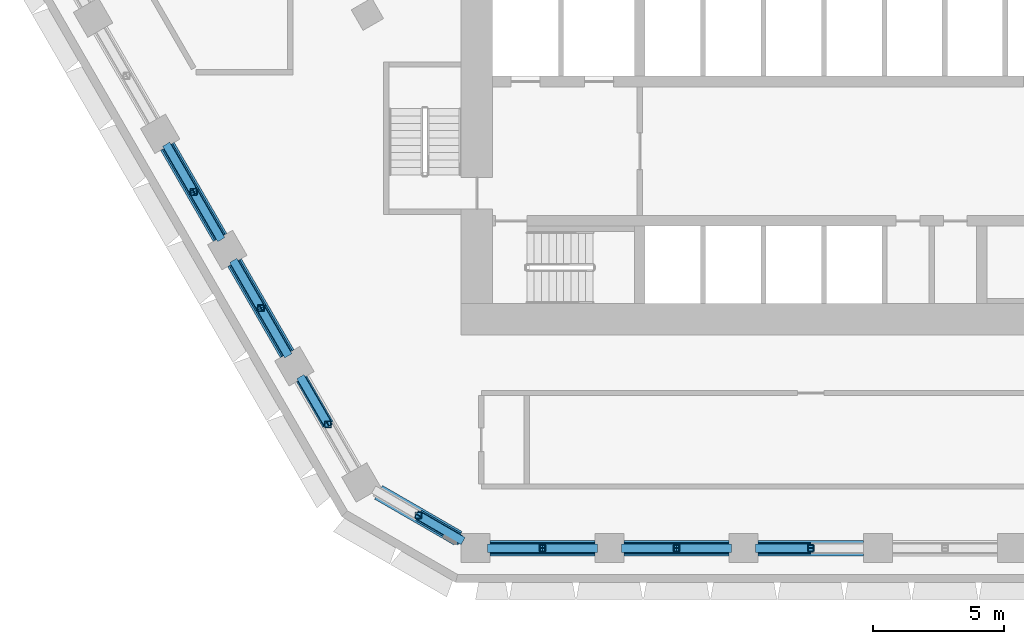
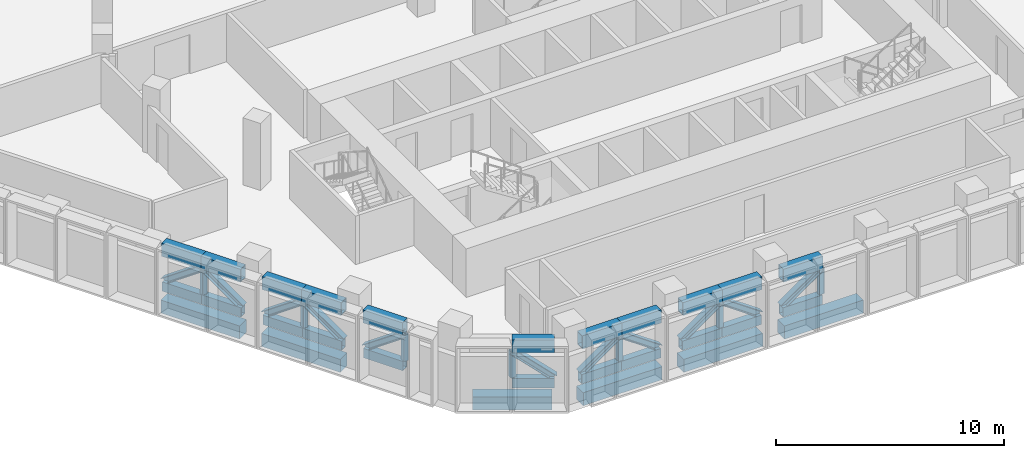
# One storey, part 2 of 22: 40 members, 6 beams.
"""IFC4 building model written with IfcOpenShell, lengths in metres."""

from ifc_helpers import new_model, si_unit, direction, frame, origin, origin_2d, place, context, subcontext, project, spatial, rectangle, hollow_rectangle, i_section, extrude, material, material_profile, profile_set, type_object, element, save


model = new_model("IFC4")

# Units and contexts
model_context = context("Model", 3, precision=1e-05, world=origin(), true_north=direction((0.0, 1.0)))
body_context = subcontext(model_context, "Body", "Model", "MODEL_VIEW")
ifc_project = project(units=[si_unit("LENGTHUNIT", "METRE"), si_unit("AREAUNIT", "SQUARE_METRE"), si_unit("VOLUMEUNIT", "CUBIC_METRE"), si_unit("PLANEANGLEUNIT", "RADIAN"), si_unit("MASSUNIT", "GRAM", prefix="KILO")], contexts=[model_context])

# Site, building, storey
site_placement = place(None, origin())
site = spatial("IfcSite", under=ifc_project, at=site_placement, CompositionType="ELEMENT")
building_placement = place(site_placement, origin())
building = spatial("IfcBuilding", under=site, at=building_placement, Name="Beryl Residences", CompositionType="ELEMENT")
storey_placement = place(building_placement, frame((0.0, 0.0, 62.39990234375)))
storey = spatial("IfcBuildingStorey", under=building, at=storey_placement, Name="L19", CompositionType="ELEMENT", Elevation=62.39990234375)

# Members
ifc_material_1 = material(Name="Steel S355", Category="steel")
ifc_material_profile_1 = material_profile(ifc_material_1, hollow_rectangle(XDim=0.35009765625, YDim=0.5, WallThickness=0.02490234375, at=origin_2d()))
ifc_profile_set_1 = profile_set([ifc_material_profile_1], Name="Steel S355")
member_type_1 = type_object("IfcMemberType", Name="BB1 belt truss bottom chord WB 500x350x25", PredefinedType="CHORD", material=ifc_profile_set_1)
for number, where, z_axis, x_axis, name in (
    (1, (-24.469970703125, -11.81689453125, 0.25), (0.499915960366, -0.866073918653, 0.0), (0.866073918653, 0.499915960366, 0.0), "Belt truss BB1-SW-2a L19"),
    (2, (-23.468994140625, -13.551025390625, 0.25), (0.499968756647, -0.866043441391, 0.0), (0.866043441391, 0.499968756647, 0.0), "Belt truss BB1-SW-2b L19"),
    (3, (-21.91796875, -16.237060546875, 0.25), (0.499968756647, -0.866043441391, 0.0), (0.866043441391, 0.499968756647, 0.0), "Belt truss BB1-SW-3a L19"),
    (4, (-20.9169921875, -17.970947265625, 0.25), (0.499915960366, -0.866073918653, 0.0), (0.866073918653, 0.499915960366, 0.0), "Belt truss BB1-SW-3b L19"),
    (5, (-19.365966796875, -20.656982421875, 0.25), (0.499915960366, -0.866073918653, 0.0), (0.866073918653, 0.499915960366, 0.0), "Belt truss BB1-SW-4a L19"),
):
    element("IfcMember", number, at=place(storey_placement, frame(where, z_axis=z_axis, x_axis=x_axis)), inside=storey, type_object=member_type_1, Name=name, PredefinedType="CHORD", context=body_context, shape_type="SweptSolid", body=[
        extrude(hollow_rectangle(XDim=0.35009765625, YDim=0.5, WallThickness=0.02490234375, at=origin_2d()), origin(), (0.0, 0.0, 1.0), 2.002197265625),
    ])
member_1_placement = place(storey_placement, frame((-14.924072265625, -25.85107421875, 0.25), z_axis=(0.866148526014, -0.499786685381, 0.0), x_axis=(0.499786685381, 0.866148526014, 0.0)))
element("IfcMember", 6, at=member_1_placement, inside=storey, type_object=member_type_1, Name="Belt truss BB1-SW-5b L19", PredefinedType="CHORD", context=body_context, shape_type="SweptSolid", body=[
    extrude(hollow_rectangle(XDim=0.35009765625, YDim=0.5, WallThickness=0.02490234375, at=origin_2d()), origin(), (0.0, 0.0, 1.0), 1.864501953125),
])
for number, where, z_axis, x_axis, name in (
    (7, (-12.208984375, -27.10009765625, 0.25), (1.0, 0.0, 0.0), (0.0, 1.0, 0.0), "Belt truss BB1-S-0a L19"),
    (8, (-10.20703125, -27.10009765625, 0.25), (1.0, 0.0, 0.0), (0.0, 1.0, 0.0), "Belt truss BB1-S-0b L19"),
    (9, (-7.10498046875, -27.10009765625, 0.25), (1.0, 0.0, 0.0), (0.0, 1.0, 0.0), "Belt truss BB1-S-1a L19"),
    (10, (-5.10302734375, -27.10009765625, 0.25), (1.0, 0.0, 0.0), (0.0, 1.0, 0.0), "Belt truss BB1-S-1b L19"),
    (11, (-2.0009765625, -27.10009765625, 0.25), (1.0, 0.0, 0.0), (0.0, 1.0, 0.0), "Belt truss BB1-S-2a L19"),
):
    element("IfcMember", number, at=place(storey_placement, frame(where, z_axis=z_axis, x_axis=x_axis)), inside=storey, type_object=member_type_1, Name=name, PredefinedType="CHORD", context=body_context, shape_type="SweptSolid", body=[
        extrude(hollow_rectangle(XDim=0.35009765625, YDim=0.5, WallThickness=0.02490234375, at=origin_2d()), origin(), (0.0, 0.0, 1.0), 2.001953125),
    ])
ifc_material_2 = material(Name="Steel S355", Category="steel")
ifc_material_profile_2 = material_profile(ifc_material_2, i_section(OverallWidth=0.31103515625, OverallDepth=0.326904296875, WebThickness=0.015625, FlangeThickness=0.02490234375, FilletRadius=0.0166015625, at=origin_2d()))
ifc_profile_set_2 = profile_set([ifc_material_profile_2], Name="Steel S355")
member_type_2 = type_object("IfcMemberType", Name="BD1 belt truss diagonal 310UC158", PredefinedType="BRACE", material=ifc_profile_set_2)
member_2_placement = place(storey_placement, frame((-24.469970703125, -11.81689453125, 0.5), z_axis=(0.409687048976, -0.709757831433, 0.573062250214), x_axis=(0.866073918653, 0.499915960366, 0.0)))
element("IfcMember", 12, at=member_2_placement, inside=storey, type_object=member_type_2, Name="Belt truss BD1-SW-2a L19", PredefinedType="BRACE", context=body_context, shape_type="SweptSolid", body=[
    extrude(i_section(OverallWidth=0.31103515625, OverallDepth=0.326904296875, WebThickness=0.015625, FlangeThickness=0.02490234375, FilletRadius=0.0166015625, at=origin_2d()), origin(), (0.0, 0.0, 1.0), 2.443359375),
])
for number, where, z_axis, x_axis, name in (
    (13, (-22.468017578125, -15.284912109375, 0.5), (-0.409716105686, 0.709708239654, 0.573102894173), (-0.866043441391, -0.499968756647, 0.0), "Belt truss BD1-SW-2b L19"),
    (14, (-21.91796875, -16.237060546875, 0.5), (0.409716105686, -0.709708239654, 0.573102894173), (0.866043441391, 0.499968756647, 0.0), "Belt truss BD1-SW-3a L19"),
):
    element("IfcMember", number, at=place(storey_placement, frame(where, z_axis=z_axis, x_axis=x_axis)), inside=storey, type_object=member_type_2, Name=name, PredefinedType="BRACE", context=body_context, shape_type="SweptSolid", body=[
        extrude(i_section(OverallWidth=0.31103515625, OverallDepth=0.326904296875, WebThickness=0.015625, FlangeThickness=0.02490234375, FilletRadius=0.0166015625, at=origin_2d()), origin(), (0.0, 0.0, 1.0), 2.443115234375),
    ])
for number, where, z_axis, x_axis, name in (
    (15, (-19.916015625, -19.705078125, 0.5), (-0.409687048976, 0.709757831433, 0.573062250214), (-0.866073918653, -0.499915960366, 0.0), "Belt truss BD1-SW-3b L19"),
    (16, (-19.365966796875, -20.656982421875, 0.5), (0.409687048976, -0.709757831433, 0.573062250214), (0.866073918653, 0.499915960366, 0.0), "Belt truss BD1-SW-4a L19"),
):
    element("IfcMember", number, at=place(storey_placement, frame(where, z_axis=z_axis, x_axis=x_axis)), inside=storey, type_object=member_type_2, Name=name, PredefinedType="BRACE", context=body_context, shape_type="SweptSolid", body=[
        extrude(i_section(OverallWidth=0.31103515625, OverallDepth=0.326904296875, WebThickness=0.015625, FlangeThickness=0.02490234375, FilletRadius=0.0166015625, at=origin_2d()), origin(), (0.0, 0.0, 1.0), 2.443359375),
    ])
member_3_placement = place(storey_placement, frame((-13.30908203125, -26.782958984375, 0.5), z_axis=(-0.692611535994, 0.39965203823, 0.600472737555), x_axis=(-0.499786685381, -0.866148526014, 0.0)))
element("IfcMember", 17, at=member_3_placement, inside=storey, type_object=member_type_2, Name="Belt truss BD1-SW-5b L19", PredefinedType="BRACE", context=body_context, shape_type="SweptSolid", body=[
    extrude(i_section(OverallWidth=0.31103515625, OverallDepth=0.326904296875, WebThickness=0.015625, FlangeThickness=0.02490234375, FilletRadius=0.0166015625, at=origin_2d()), origin(), (0.0, 0.0, 1.0), 2.331787109375),
])
for number, where, z_axis, x_axis, name in (
    (18, (-12.208984375, -27.10009765625, 0.5), (0.81946659841, 0.0, 0.573126944132), (0.0, 1.0, 0.0), "Belt truss BD1-S-0a L19"),
    (19, (-8.205078125, -27.10009765625, 0.5), (-0.81946659841, 0.0, 0.573126944132), (0.0, -1.0, 0.0), "Belt truss BD1-S-0b L19"),
    (20, (-7.10498046875, -27.10009765625, 0.5), (0.81946659841, 0.0, 0.573126944132), (0.0, 1.0, 0.0), "Belt truss BD1-S-1a L19"),
    (21, (-3.10107421875, -27.10009765625, 0.5), (-0.81946659841, 0.0, 0.573126944132), (0.0, -1.0, 0.0), "Belt truss BD1-S-1b L19"),
    (22, (-2.0009765625, -27.10009765625, 0.5), (0.81946659841, 0.0, 0.573126944132), (0.0, 1.0, 0.0), "Belt truss BD1-S-2a L19"),
):
    element("IfcMember", number, at=place(storey_placement, frame(where, z_axis=z_axis, x_axis=x_axis)), inside=storey, type_object=member_type_2, Name=name, PredefinedType="BRACE", context=body_context, shape_type="SweptSolid", body=[
        extrude(i_section(OverallWidth=0.31103515625, OverallDepth=0.326904296875, WebThickness=0.015625, FlangeThickness=0.02490234375, FilletRadius=0.0166015625, at=origin_2d()), origin(), (0.0, 0.0, 1.0), 2.443115234375),
    ])
ifc_material_3 = material(Name="Steel S355", Category="steel")
ifc_material_profile_3 = material_profile(ifc_material_3, hollow_rectangle(XDim=0.25, YDim=0.25, WallThickness=0.009033203125, InnerFilletRadius=0.009033203125, OuterFilletRadius=0.01806640625, at=origin_2d()))
ifc_profile_set_3 = profile_set([ifc_material_profile_3], Name="Steel S355")
member_type_3 = type_object("IfcMemberType", Name="BQ1 belt truss post SHS 250x250x9", PredefinedType="POST", material=ifc_profile_set_3)
for number, where, z_axis, x_axis, name in (
    (23, (-23.468994140625, -13.551025390625, 0.5), (0.0, 0.0, 1.0), (1.0, 0.0, 0.0), "Belt truss BQ1-SW-2 L19"),
    (24, (-20.9169921875, -17.970947265625, 0.5), (0.0, 0.0, 1.0), (1.0, 0.0, 0.0), "Belt truss BQ1-SW-3 L19"),
    (25, (-18.364990234375, -22.39111328125, 0.5), (0.0, 0.0, 1.0), (1.0, 0.0, 0.0), "Belt truss BQ1-SW-4 L19"),
    (26, (-14.924072265625, -25.85107421875, 0.5), (0.0, 0.0, 1.0), (1.0, 0.0, 0.0), "Belt truss BQ1-SW-5 L19"),
    (27, (-10.20703125, -27.10009765625, 0.5), (0.0, 0.0, 1.0), (1.0, 0.0, 0.0), "Belt truss BQ1-S-0 L19"),
    (28, (-5.10302734375, -27.10009765625, 0.5), (0.0, 0.0, 1.0), (1.0, 0.0, 0.0), "Belt truss BQ1-S-1 L19"),
    (29, (0.0009765625, -27.10009765625, 0.5), (0.0, 0.0, 1.0), (1.0, 0.0, 0.0), "Belt truss BQ1-S-2 L19"),
):
    element("IfcMember", number, at=place(storey_placement, frame(where, z_axis=z_axis, x_axis=x_axis)), inside=storey, type_object=member_type_3, Name=name, PredefinedType="POST", context=body_context, shape_type="SweptSolid", body=[
        extrude(hollow_rectangle(XDim=0.25, YDim=0.25, WallThickness=0.009033203125, InnerFilletRadius=0.009033203125, OuterFilletRadius=0.01806640625, at=origin_2d()), origin(), (0.0, 0.0, 1.0), 1.400146484375),
    ])
ifc_material_4 = material(Name="Steel S355", Category="steel")
ifc_material_profile_4 = material_profile(ifc_material_4, hollow_rectangle(XDim=0.449951171875, YDim=0.699951171875, WallThickness=0.034912109375, at=origin_2d()))
ifc_profile_set_4 = profile_set([ifc_material_profile_4], Name="Steel S355")
member_type_4 = type_object("IfcMemberType", Name="BT1 belt truss top chord WB 700x450x35", PredefinedType="CHORD", material=ifc_profile_set_4)
for number, where, z_axis, x_axis, name in (
    (30, (-24.469970703125, -11.81689453125, 2.25), (0.499915960366, -0.866073918653, 0.0), (0.866073918653, 0.499915960366, 0.0), "Belt truss BT1-SW-2a L19"),
    (31, (-23.468994140625, -13.551025390625, 2.25), (0.499968756647, -0.866043441391, 0.0), (0.866043441391, 0.499968756647, 0.0), "Belt truss BT1-SW-2b L19"),
    (32, (-21.91796875, -16.237060546875, 2.25), (0.499968756647, -0.866043441391, 0.0), (0.866043441391, 0.499968756647, 0.0), "Belt truss BT1-SW-3a L19"),
    (33, (-20.9169921875, -17.970947265625, 2.25), (0.499915960366, -0.866073918653, 0.0), (0.866073918653, 0.499915960366, 0.0), "Belt truss BT1-SW-3b L19"),
    (34, (-19.365966796875, -20.656982421875, 2.25), (0.499915960366, -0.866073918653, 0.0), (0.866073918653, 0.499915960366, 0.0), "Belt truss BT1-SW-4a L19"),
):
    element("IfcMember", number, at=place(storey_placement, frame(where, z_axis=z_axis, x_axis=x_axis)), inside=storey, type_object=member_type_4, Name=name, PredefinedType="CHORD", context=body_context, shape_type="SweptSolid", body=[
        extrude(hollow_rectangle(XDim=0.449951171875, YDim=0.699951171875, WallThickness=0.034912109375, at=origin_2d()), origin(), (0.0, 0.0, 1.0), 2.002197265625),
    ])
member_4_placement = place(storey_placement, frame((-14.924072265625, -25.85107421875, 2.25), z_axis=(0.866148526014, -0.499786685381, 0.0), x_axis=(0.499786685381, 0.866148526014, 0.0)))
element("IfcMember", 35, at=member_4_placement, inside=storey, type_object=member_type_4, Name="Belt truss BT1-SW-5b L19", PredefinedType="CHORD", context=body_context, shape_type="SweptSolid", body=[
    extrude(hollow_rectangle(XDim=0.449951171875, YDim=0.699951171875, WallThickness=0.034912109375, at=origin_2d()), origin(), (0.0, 0.0, 1.0), 1.864501953125),
])
for number, where, z_axis, x_axis, name in (
    (36, (-12.208984375, -27.10009765625, 2.25), (1.0, 0.0, 0.0), (0.0, 1.0, 0.0), "Belt truss BT1-S-0a L19"),
    (37, (-10.20703125, -27.10009765625, 2.25), (1.0, 0.0, 0.0), (0.0, 1.0, 0.0), "Belt truss BT1-S-0b L19"),
    (38, (-7.10498046875, -27.10009765625, 2.25), (1.0, 0.0, 0.0), (0.0, 1.0, 0.0), "Belt truss BT1-S-1a L19"),
    (39, (-5.10302734375, -27.10009765625, 2.25), (1.0, 0.0, 0.0), (0.0, 1.0, 0.0), "Belt truss BT1-S-1b L19"),
    (40, (-2.0009765625, -27.10009765625, 2.25), (1.0, 0.0, 0.0), (0.0, 1.0, 0.0), "Belt truss BT1-S-2a L19"),
):
    element("IfcMember", number, at=place(storey_placement, frame(where, z_axis=z_axis, x_axis=x_axis)), inside=storey, type_object=member_type_4, Name=name, PredefinedType="CHORD", context=body_context, shape_type="SweptSolid", body=[
        extrude(hollow_rectangle(XDim=0.449951171875, YDim=0.699951171875, WallThickness=0.034912109375, at=origin_2d()), origin(), (0.0, 0.0, 1.0), 2.001953125),
    ])

# Beams
ifc_material_5 = material(Name="Concrete C80/95", Category="concrete")
ifc_material_profile_5 = material_profile(ifc_material_5, rectangle(XDim=0.60009765625, YDim=0.699951171875, at=origin_2d()))
ifc_profile_set_5 = profile_set([ifc_material_profile_5], Name="Concrete C80/95")
beam_type = type_object("IfcBeamType", Name="SB1 spandrel beam 600 x 700 C80/95", PredefinedType="SPANDREL", material=ifc_profile_set_5)
for number, where, z_axis, x_axis, name in (
    (41, (-24.469970703125, -11.81689453125, -0.75), (0.499942357345, -0.866058681229, 0.0), (0.866058681229, 0.499942357345, 0.0), "SB1 L19 SW-2"),
    (42, (-21.91796875, -16.237060546875, -0.75), (0.499942357345, -0.866058681229, 0.0), (0.866058681229, 0.499942357345, 0.0), "SB1 L19 SW-3"),
):
    element("IfcBeam", number, at=place(storey_placement, frame(where, z_axis=z_axis, x_axis=x_axis)), inside=storey, type_object=beam_type, Name=name, PredefinedType="SPANDREL", context=body_context, shape_type="SweptSolid", body=[
        extrude(rectangle(XDim=0.60009765625, YDim=0.699951171875, at=origin_2d()), origin(), (0.0, 0.0, 1.0), 4.00439453125),
    ])
beam_placement = place(storey_placement, frame((-16.43896484375, -24.97607421875, -0.75), z_axis=(0.866070549782, -0.499921796684, 0.0), x_axis=(0.499921796684, 0.866070549782, 0.0)))
element("IfcBeam", 43, at=beam_placement, inside=storey, type_object=beam_type, Name="SB1 L19 SW-5", PredefinedType="SPANDREL", context=body_context, shape_type="SweptSolid", body=[
    extrude(rectangle(XDim=0.60009765625, YDim=0.699951171875, at=origin_2d()), origin(), (0.0, 0.0, 1.0), 3.49853515625),
])
for number, where, z_axis, x_axis, name in (
    (44, (-12.208984375, -27.10009765625, -0.75), (1.0, 0.0, 0.0), (0.0, 1.0, 0.0), "SB1 L19 S-0"),
    (45, (-7.10498046875, -27.10009765625, -0.75), (1.0, 0.0, 0.0), (0.0, 1.0, 0.0), "SB1 L19 S-1"),
    (46, (-2.0009765625, -27.10009765625, -0.75), (1.0, 0.0, 0.0), (0.0, 1.0, 0.0), "SB1 L19 S-2"),
):
    element("IfcBeam", number, at=place(storey_placement, frame(where, z_axis=z_axis, x_axis=x_axis)), inside=storey, type_object=beam_type, Name=name, PredefinedType="SPANDREL", context=body_context, shape_type="SweptSolid", body=[
        extrude(rectangle(XDim=0.60009765625, YDim=0.699951171875, at=origin_2d()), origin(), (0.0, 0.0, 1.0), 4.00390625),
    ])

save(model, "model.ifc")
